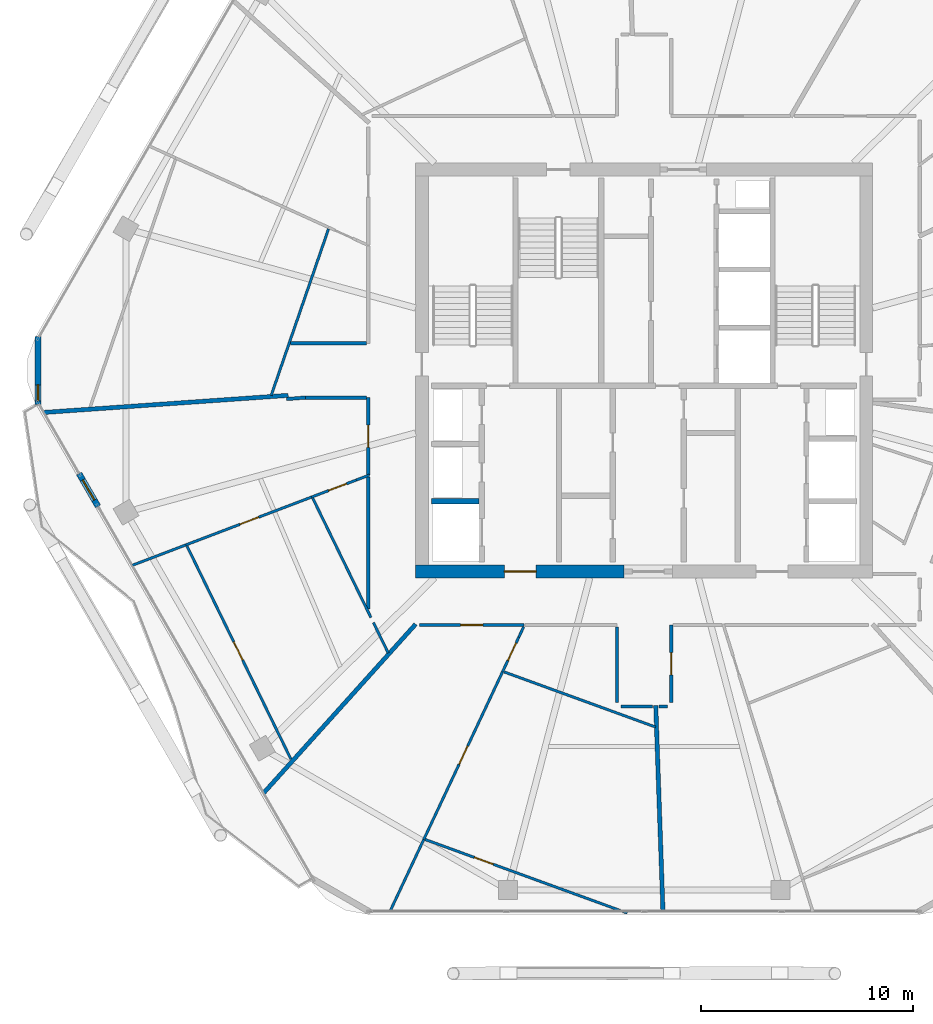
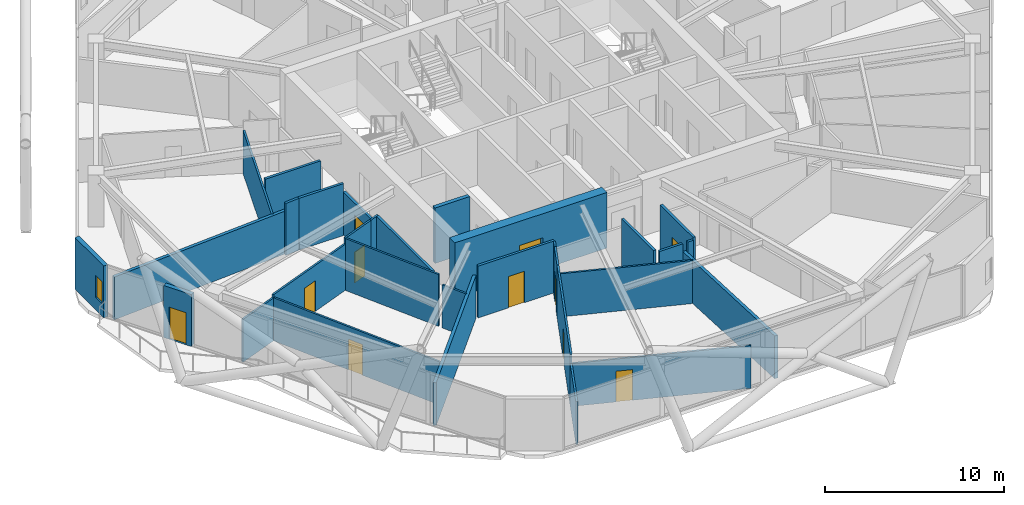
# One storey, part 20 of 27: 31 walls, 11 doors, 1 window, 12 openings.
"""IFC4 building model written with IfcOpenShell, lengths in metres."""

from ifc_helpers import new_model, si_unit, direction, frame, frame_2d, origin, place, context, subcontext, project, spatial, rectangle, extrude, material, layer, layer_set, type_object, element, fill, save


model = new_model("IFC4")

# Units and contexts
model_context = context("Model", 3, precision=1e-05, world=origin(), true_north=direction((0.0, 1.0)))
body_context = subcontext(model_context, "Body", "Model", "MODEL_VIEW")
ifc_project = project(units=[si_unit("LENGTHUNIT", "METRE"), si_unit("AREAUNIT", "SQUARE_METRE"), si_unit("VOLUMEUNIT", "CUBIC_METRE"), si_unit("PLANEANGLEUNIT", "RADIAN"), si_unit("MASSUNIT", "GRAM", prefix="KILO")], contexts=[model_context])

# Site, building, storey
site_placement = place(None, origin())
site = spatial("IfcSite", under=ifc_project, at=site_placement, CompositionType="ELEMENT")
building_placement = place(site_placement, origin())
building = spatial("IfcBuilding", under=site, at=building_placement, Name="Zuhravey Tower", CompositionType="ELEMENT")
storey_placement = place(building_placement, frame((0.0, 0.0, 238.800048828125)))
storey = spatial("IfcBuildingStorey", under=building, at=storey_placement, Name="L60", CompositionType="ELEMENT", Elevation=238.800048828125)

# Wall, opening, door
ifc_material_1 = material(Name="Concrete C50/60", Category="concrete")
ifc_layer_1 = layer(ifc_material_1, 0.60009765625)
ifc_layer_set_1 = layer_set([ifc_layer_1], Name="Concrete C50/60")
wall_type_1 = type_object("IfcWallType", Name="Core Shear Wall 600", PredefinedType="SHEAR", material=ifc_layer_set_1)
wall_1_placement = place(storey_placement, frame((25.199951171875, 22.5, 0.0), z_axis=(0.0, 0.0, 1.0), x_axis=(1.0, 0.0, 0.0)))
wall_1 = element("IfcWall", 1, at=wall_1_placement, inside=storey, type_object=wall_type_1, Name="L60 South-West Core Shear Wall CW60", PredefinedType="SHEAR", context=body_context, shape_type="SweptSolid", body=[
    extrude(rectangle(XDim=9.85009765625, YDim=0.60009765625, at=frame_2d((4.925048828125, 0.0))), origin(), (0.0, 0.0, 1.0), 3.800048828125),
])
opening_1_placement = place(wall_1_placement, frame((4.199951171875, 0.0, 0.0)))
opening_1 = element("IfcOpeningElement", 2, at=opening_1_placement, cuts=wall_1, Name="Opening FFD1", PredefinedType="OPENING", context=body_context, shape_type="SweptSolid", body=[
    extrude(rectangle(XDim=1.5, YDim=2.14990234375, at=frame_2d((0.75, 1.074951171875))), frame((0.0, 0.31201171875, 0.0), z_axis=(0.0, -1.0, 0.0), x_axis=(1.0, 0.0, 0.0)), (0.0, 0.0, 1.0), 0.6240234375),
])
ifc_material_2 = material(Name="Galvanised fire-rated steel leaf", Category="steel")
door_type_1 = type_object("IfcDoorType", Name="Firefighting Lobby Double Door 1500x2150", OperationType="DOUBLE_DOOR_SINGLE_SWING", PredefinedType="DOOR", material=ifc_material_2)
door_1_placement = place(opening_1_placement, origin())
door_1 = element("IfcDoor", 3, at=door_1_placement, inside=storey, type_object=door_type_1, Name="L60 Firefighting Lobby West Door", OperationType="DOUBLE_DOOR_SINGLE_SWING", OverallHeight=2.14990234375, OverallWidth=1.5, PredefinedType="DOOR", context=body_context, shape_type="SweptSolid", body=[
    extrude(rectangle(XDim=1.5, YDim=2.14990234375, at=frame_2d((0.75, 1.074951171875))), frame((0.0, 0.02490234375, 0.0), z_axis=(0.0, -1.0, 0.0), x_axis=(1.0, 0.0, 0.0)), (0.0, 0.0, 1.0), 0.050048828125),
])
fill(opening_1, door_1)

ifc_material_3 = material(Name="Gypsum fire-rated stud partition")
ifc_layer_2 = layer(ifc_material_3, 0.159912109375)
ifc_layer_set_2 = layer_set([ifc_layer_2], Name="Gypsum fire-rated stud partition")
wall_type_2 = type_object("IfcWallType", Name="Corridor Fire Partition 160", PredefinedType="PARTITIONING", material=ifc_layer_set_2)
wall_2_placement = place(storey_placement, frame((22.969970703125, 30.719970703125, 0.0), z_axis=(0.0, 0.0, 1.0), x_axis=(0.0, -1.0, 0.0)))
wall_2 = element("IfcWall", 4, at=wall_2_placement, inside=storey, type_object=wall_type_2, Name="L60 IW16 Partition 032", PredefinedType="PARTITIONING", context=body_context, shape_type="SweptSolid", body=[
    extrude(rectangle(XDim=3.65869140625, YDim=0.159912109375, at=frame_2d((1.829345703125, 0.0))), origin(), (0.0, 0.0, 1.0), 2.949951171875),
])
opening_2_placement = place(wall_2_placement, frame((1.30419921875, 0.0, 0.0)))
opening_2 = element("IfcOpeningElement", 5, at=opening_2_placement, cuts=wall_2, Name="Opening APD1", PredefinedType="OPENING", context=body_context, shape_type="SweptSolid", body=[
    extrude(rectangle(XDim=1.050048828125, YDim=2.14990234375, at=frame_2d((0.52490234375, 1.074951171875))), frame((0.0, 0.092041015625, 0.0), z_axis=(0.0, -1.0, 0.0), x_axis=(1.0, 0.0, 0.0)), (0.0, 0.0, 1.0), 0.183837890625),
])
ifc_material_4 = material(Name="Solid-core oak fire-rated leaf")
door_type_2 = type_object("IfcDoorType", Name="Apartment Entrance Fire Door 1050x2150", OperationType="NOTDEFINED", PredefinedType="DOOR", material=ifc_material_4)
door_2_placement = place(opening_2_placement, frame((1.050048828125, 0.0, 0.0), z_axis=(0.0, 0.0, 1.0), x_axis=(-1.0, 0.0, 0.0)))
door_2 = element("IfcDoor", 6, at=door_2_placement, inside=storey, type_object=door_type_2, Name="L60 Door 032.1", OperationType="SINGLE_SWING_RIGHT", OverallHeight=2.14990234375, OverallWidth=1.050048828125, PredefinedType="DOOR", context=body_context, shape_type="SweptSolid", body=[
    extrude(rectangle(XDim=1.050048828125, YDim=2.14990234375, at=frame_2d((0.52490234375, 1.074951171875))), frame((0.0, 0.02490234375, 0.0), z_axis=(0.0, -1.0, 0.0), x_axis=(1.0, 0.0, 0.0)), (0.0, 0.0, 1.0), 0.050048828125),
])
fill(opening_2, door_2)

wall_3_placement = place(storey_placement, frame((25.383544921875, 19.969970703125, 0.0), z_axis=(0.0, 0.0, 1.0), x_axis=(1.0, 0.0, 0.0)))
wall_3 = element("IfcWall", 7, at=wall_3_placement, inside=storey, type_object=wall_type_2, Name="L60 IW16 Partition 036", PredefinedType="PARTITIONING", context=body_context, shape_type="SweptSolid", body=[
    extrude(rectangle(XDim=4.94384765625, YDim=0.159912109375, at=frame_2d((2.471923828125, 0.0))), origin(), (0.0, 0.0, 1.0), 3.550048828125),
])
opening_3_placement = place(wall_3_placement, frame((1.947021484375, 0.0, 0.0)))
opening_3 = element("IfcOpeningElement", 8, at=opening_3_placement, cuts=wall_3, Name="Opening APD1", PredefinedType="OPENING", context=body_context, shape_type="SweptSolid", body=[
    extrude(rectangle(XDim=1.050048828125, YDim=2.14990234375, at=frame_2d((0.52490234375, 1.074951171875))), frame((0.0, 0.092041015625, 0.0), z_axis=(0.0, -1.0, 0.0), x_axis=(1.0, 0.0, 0.0)), (0.0, 0.0, 1.0), 0.183837890625),
])
door_3_placement = place(opening_3_placement, frame((1.050048828125, 0.0, 0.0), z_axis=(0.0, 0.0, 1.0), x_axis=(-1.0, 0.0, 0.0)))
door_3 = element("IfcDoor", 9, at=door_3_placement, inside=storey, type_object=door_type_2, Name="L60 Door 036.1", OperationType="SINGLE_SWING_RIGHT", OverallHeight=2.14990234375, OverallWidth=1.050048828125, PredefinedType="DOOR", context=body_context, shape_type="SweptSolid", body=[
    extrude(rectangle(XDim=1.050048828125, YDim=2.14990234375, at=frame_2d((0.52490234375, 1.074951171875))), frame((0.0, 0.02490234375, 0.0), z_axis=(0.0, -1.0, 0.0), x_axis=(1.0, 0.0, 0.0)), (0.0, 0.0, 1.0), 0.050048828125),
])
fill(opening_3, door_3)

wall_4_placement = place(storey_placement, frame((37.280029296875, 16.300048828125, 0.0), z_axis=(0.0, 0.0, 1.0), x_axis=(0.0, 1.0, 0.0)))
wall_4 = element("IfcWall", 10, at=wall_4_placement, inside=storey, type_object=wall_type_2, Name="L60 IW16 Partition 040", PredefinedType="PARTITIONING", context=body_context, shape_type="SweptSolid", body=[
    extrude(rectangle(XDim=3.669921875, YDim=0.159912109375, at=frame_2d((1.8349609375, 0.0))), origin(), (0.0, 0.0, 1.0), 3.550048828125),
])
opening_4_placement = place(wall_4_placement, frame((1.31005859375, 0.0, 0.0)))
opening_4 = element("IfcOpeningElement", 11, at=opening_4_placement, cuts=wall_4, Name="Opening APD1", PredefinedType="OPENING", context=body_context, shape_type="SweptSolid", body=[
    extrude(rectangle(XDim=1.050048828125, YDim=2.14990234375, at=frame_2d((0.52490234375, 1.074951171875))), frame((0.0, 0.092041015625, 0.0), z_axis=(0.0, -1.0, 0.0), x_axis=(1.0, 0.0, 0.0)), (0.0, 0.0, 1.0), 0.183837890625),
])
door_4_placement = place(opening_4_placement, frame((1.050048828125, 0.0, 0.0), z_axis=(0.0, 0.0, 1.0), x_axis=(-1.0, 0.0, 0.0)))
door_4 = element("IfcDoor", 12, at=door_4_placement, inside=storey, type_object=door_type_2, Name="L60 Door 040.1", OperationType="SINGLE_SWING_RIGHT", OverallHeight=2.14990234375, OverallWidth=1.050048828125, PredefinedType="DOOR", context=body_context, shape_type="SweptSolid", body=[
    extrude(rectangle(XDim=1.050048828125, YDim=2.14990234375, at=frame_2d((0.52490234375, 1.074951171875))), frame((0.0, 0.02490234375, 0.0), z_axis=(0.0, -1.0, 0.0), x_axis=(1.0, 0.0, 0.0)), (0.0, 0.0, 1.0), 0.050048828125),
])
fill(opening_4, door_4)

# Walls
wall_5_placement = place(storey_placement, frame((22.882080078125, 33.280029296875, 0.0), z_axis=(0.0, 0.0, 1.0), x_axis=(-1.0, 0.0, 0.0)))
element("IfcWall", 13, at=wall_5_placement, inside=storey, type_object=wall_type_2, Name="L60 IW16 Partition 098", PredefinedType="PARTITIONING", context=body_context, shape_type="SweptSolid", body=[
    extrude(rectangle(XDim=3.58203125, YDim=0.159912109375, at=frame_2d((1.791015625, 0.0))), origin(), (0.0, 0.0, 1.0), 3.550048828125),
])
wall_6_placement = place(storey_placement, frame((19.990966796875, 30.719970703125, 0.0), z_axis=(0.0, 0.0, 1.0), x_axis=(1.0, 0.0, 0.0)))
element("IfcWall", 14, at=wall_6_placement, inside=storey, type_object=wall_type_2, Name="L60 IW16 Partition 099", PredefinedType="PARTITIONING", context=body_context, shape_type="SweptSolid", body=[
    extrude(rectangle(XDim=2.89111328125, YDim=0.159912109375, at=frame_2d((1.445556640625, 0.0))), origin(), (0.0, 0.0, 1.0), 3.550048828125),
])
wall_7_placement = place(storey_placement, frame((19.1005859375, 30.64990234375, 0.0), z_axis=(0.0, 0.0, 1.0), x_axis=(0.9969178709, 0.078452270071, 0.0)))
element("IfcWall", 15, at=wall_7_placement, inside=storey, type_object=wall_type_2, Name="L60 IW16 Partition 100", PredefinedType="PARTITIONING", context=body_context, shape_type="SweptSolid", body=[
    extrude(rectangle(XDim=0.89306640625, YDim=0.159912109375, at=frame_2d((0.446533203125, 0.0))), origin(), (0.0, 0.0, 1.0), 3.550048828125),
])
wall_8_placement = place(storey_placement, frame((22.969970703125, 26.96728515625, 0.0), z_axis=(0.0, 0.0, 1.0), x_axis=(0.0, -1.0, 0.0)))
element("IfcWall", 16, at=wall_8_placement, inside=storey, type_object=wall_type_2, Name="L60 IW16 Partition 101", PredefinedType="PARTITIONING", context=body_context, shape_type="SweptSolid", body=[
    extrude(rectangle(XDim=6.240966796875, YDim=0.159912109375, at=frame_2d((3.12060546875, 0.0))), origin(), (0.0, 0.0, 1.0), 3.550048828125),
])
wall_9_placement = place(storey_placement, frame((34.719970703125, 19.882080078125, 0.0), z_axis=(0.0, 0.0, 1.0), x_axis=(0.0, -1.0, 0.0)))
element("IfcWall", 17, at=wall_9_placement, inside=storey, type_object=wall_type_2, Name="L60 IW16 Partition 103", PredefinedType="PARTITIONING", context=body_context, shape_type="SweptSolid", body=[
    extrude(rectangle(XDim=3.58203125, YDim=0.159912109375, at=frame_2d((1.791015625, 0.0))), origin(), (0.0, 0.0, 1.0), 3.550048828125),
])
wall_10_placement = place(storey_placement, frame((34.89990234375, 16.1201171875, 0.0), z_axis=(0.0, 0.0, 1.0), x_axis=(1.0, 0.0, 0.0)))
element("IfcWall", 18, at=wall_10_placement, inside=storey, type_object=wall_type_2, Name="L60 IW16 Partition 104", PredefinedType="PARTITIONING", context=body_context, shape_type="SweptSolid", body=[
    extrude(rectangle(XDim=1.495849609375, YDim=0.159912109375, at=frame_2d((0.748046875, 0.0))), origin(), (0.0, 0.0, 1.0), 3.550048828125),
])
wall_11_placement = place(storey_placement, frame((36.71337890625, 16.1201171875, 0.0), z_axis=(0.0, 0.0, 1.0), x_axis=(1.0, 0.0, 0.0)))
element("IfcWall", 19, at=wall_11_placement, inside=storey, type_object=wall_type_2, Name="L60 IW16 Partition 106", PredefinedType="PARTITIONING", context=body_context, shape_type="SweptSolid", body=[
    extrude(rectangle(XDim=0.38671875, YDim=0.159912109375, at=frame_2d((0.193359375, 0.0))), origin(), (0.0, 0.0, 1.0), 3.550048828125),
])

# Wall, opening, door
ifc_material_5 = material(Name="Precast concrete C40/50", Category="concrete")
ifc_layer_3 = layer(ifc_material_5, 0.280029296875)
ifc_layer_set_3 = layer_set([ifc_layer_3], Name="Precast concrete C40/50")
wall_type_3 = type_object("IfcWallType", Name="Crown Architectural Wall 280", PredefinedType="SOLIDWALL", material=ifc_layer_set_3)
wall_12_placement = place(storey_placement, frame((10.19091796875, 25.575439453125, 0.0), z_axis=(0.0, 0.0, 1.0), x_axis=(-0.499982180423, 0.866035691677, 0.0)))
wall_12 = element("IfcWall", 20, at=wall_12_placement, inside=storey, type_object=wall_type_3, Name="L60 Face 4 Facade Pier EW28-1", PredefinedType="SOLIDWALL", context=body_context, shape_type="SweptSolid", body=[
    extrude(rectangle(XDim=1.7900390625, YDim=0.280029296875, at=frame_2d((0.89501953125, 0.0))), origin(), (0.0, 0.0, 1.0), 3.550048828125),
])
opening_5_placement = place(wall_12_placement, frame((0.344970703125, 0.0, 0.0)))
opening_5 = element("IfcOpeningElement", 21, at=opening_5_placement, cuts=wall_12, Name="Opening BLD1", PredefinedType="OPENING", context=body_context, shape_type="SweptSolid", body=[
    extrude(rectangle(XDim=1.10009765625, YDim=2.199951171875, at=frame_2d((0.550048828125, 1.10009765625))), frame((0.0, 0.152099609375, 0.0), z_axis=(0.0, -1.0, 0.0), x_axis=(1.0, 0.0, 0.0)), (0.0, 0.0, 1.0), 0.303955078125),
])
ifc_material_6 = material(Name="Thermally broken aluminium and low-E glass", Category="aluminium")
door_type_3 = type_object("IfcDoorType", Name="Balcony & Sky-Tray Glazed Door 1100x2200", OperationType="NOTDEFINED", PredefinedType="DOOR", material=ifc_material_6)
door_5_placement = place(opening_5_placement, frame((1.10009765625, 0.0, 0.0), z_axis=(0.0, 0.0, 1.0), x_axis=(-1.0, 0.0, 0.0)))
door_5 = element("IfcDoor", 22, at=door_5_placement, inside=storey, type_object=door_type_3, Name="L60 Face 4 Wave Balcony Door", OperationType="SINGLE_SWING_LEFT", OverallHeight=2.199951171875, OverallWidth=1.10009765625, PredefinedType="DOOR", context=body_context, shape_type="SweptSolid", body=[
    extrude(rectangle(XDim=1.10009765625, YDim=2.199951171875, at=frame_2d((0.550048828125, 1.10009765625))), frame((0.0, 0.02490234375, 0.0), z_axis=(0.0, -1.0, 0.0), x_axis=(1.0, 0.0, 0.0)), (0.0, 0.0, 1.0), 0.050048828125),
])
fill(opening_5, door_5)

# Wall, opening, window
wall_13_placement = place(storey_placement, frame((7.35498046875, 30.392578125, 0.0), z_axis=(0.0, 0.0, 1.0), x_axis=(0.0, 1.0, 0.0)))
wall_13 = element("IfcWall", 23, at=wall_13_placement, inside=storey, type_object=wall_type_3, Name="L60 Rounded Corner Closure Wall EW28-06", PredefinedType="SOLIDWALL", context=body_context, shape_type="SweptSolid", body=[
    extrude(rectangle(XDim=3.21484375, YDim=0.280029296875, at=frame_2d((1.607421875, 0.0))), origin(), (0.0, 0.0, 1.0), 3.550048828125),
])
opening_6_placement = place(wall_13_placement, frame((0.17578125, 0.0, 0.85009765625)))
opening_6 = element("IfcOpeningElement", 24, at=opening_6_placement, cuts=wall_13, Name="Opening WN5", PredefinedType="OPENING", context=body_context, shape_type="SweptSolid", body=[
    extrude(rectangle(XDim=0.75, YDim=1.5, at=frame_2d((0.375, 0.75))), frame((0.0, 0.152099609375, 0.0), z_axis=(0.0, -1.0, 0.0), x_axis=(1.0, 0.0, 0.0)), (0.0, 0.0, 1.0), 0.303955078125),
])
ifc_material_7 = material(Name="Thermally broken aluminium and triple low-E glass", Category="aluminium")
window_type = type_object("IfcWindowType", Name="Residential Corner Casement Window 750x1500", PartitioningType="SINGLE_PANEL", PredefinedType="WINDOW", material=ifc_material_7)
window_placement = place(opening_6_placement, origin())
window = element("IfcWindow", 25, at=window_placement, inside=storey, type_object=window_type, Name="L60 Corner Casement Window WN5-06.1", OverallHeight=1.5, OverallWidth=0.75, PartitioningType="SINGLE_PANEL", PredefinedType="WINDOW", context=body_context, shape_type="SweptSolid", body=[
    extrude(rectangle(XDim=0.75, YDim=1.5, at=frame_2d((0.375, 0.75))), frame((0.0, 0.030029296875, 0.0), z_axis=(0.0, -1.0, 0.0), x_axis=(1.0, 0.0, 0.0)), (0.0, 0.0, 1.0), 0.06005859375),
])
fill(opening_6, window)

# Walls
ifc_layer_4 = layer(ifc_material_1, 0.25)
ifc_layer_set_4 = layer_set([ifc_layer_4], Name="Concrete C50/60")
wall_type_4 = type_object("IfcWallType", Name="Firefighting Shaft & Stair Wall 250", PredefinedType="SOLIDWALL", material=ifc_layer_set_4)
wall_14_placement = place(storey_placement, frame((25.949951171875, 25.824951171875, 0.0), z_axis=(0.0, 0.0, 1.0), x_axis=(1.0, 0.0, 0.0)))
element("IfcWall", 26, at=wall_14_placement, inside=storey, type_object=wall_type_4, Name="L60 FW25 Shaft Wall 009", PredefinedType="SOLIDWALL", context=body_context, shape_type="SweptSolid", body=[
    extrude(rectangle(XDim=2.25, YDim=0.25, at=frame_2d((1.125, 0.0))), origin(), (0.0, 0.0, 1.0), 3.800048828125),
])
ifc_material_8 = material(Name="Gypsum double-stud party assembly")
ifc_layer_5 = layer(ifc_material_8, 0.199951171875)
ifc_layer_set_5 = layer_set([ifc_layer_5], Name="Gypsum double-stud party assembly")
wall_type_5 = type_object("IfcWallType", Name="Inter-Tenancy Party Wall 200", PredefinedType="PARTITIONING", material=ifc_layer_set_5)
wall_15_placement = place(storey_placement, frame((19.1826171875, 30.823974609375, 0.0), z_axis=(0.0, 0.0, 1.0), x_axis=(-0.997565085498, -0.069741667573, 0.0)))
element("IfcWall", 27, at=wall_15_placement, inside=storey, type_object=wall_type_5, Name="L60 IW20 Partition 066", PredefinedType="PARTITIONING", context=body_context, shape_type="SweptSolid", body=[
    extrude(rectangle(XDim=11.583740234375, YDim=0.199951171875, at=frame_2d((5.7919921875, 0.0))), origin(), (0.0, 0.0, 1.0), 2.929931640625),
])
wall_16_placement = place(storey_placement, frame((25.2041015625, 20.010009765625, 0.0), z_axis=(0.0, 0.0, 1.0), x_axis=(-0.669124143022, -0.743150645041, 0.0)))
element("IfcWall", 28, at=wall_16_placement, inside=storey, type_object=wall_type_5, Name="L60 IW20 Partition 071", PredefinedType="PARTITIONING", context=body_context, shape_type="SweptSolid", body=[
    extrude(rectangle(XDim=10.744873046875, YDim=0.199951171875, at=frame_2d((5.37255859375, 0.0))), origin(), (0.0, 0.0, 1.0), 2.929931640625),
])
wall_17_placement = place(storey_placement, frame((36.552978515625, 16.159912109375, 0.0), z_axis=(0.0, 0.0, 1.0), x_axis=(0.034903897424, -0.999390673333, 0.0)))
element("IfcWall", 29, at=wall_17_placement, inside=storey, type_object=wall_type_5, Name="L60 IW20 Partition 075", PredefinedType="PARTITIONING", context=body_context, shape_type="SweptSolid", body=[
    extrude(rectangle(XDim=9.7294921875, YDim=0.199951171875, at=frame_2d((4.86474609375, 0.0))), origin(), (0.0, 0.0, 1.0), 2.929931640625),
])

# Wall, opening, door
ifc_material_9 = material(Name="Gypsum metal-stud partition")
ifc_layer_6 = layer(ifc_material_9, 0.1201171875)
ifc_layer_set_6 = layer_set([ifc_layer_6], Name="Gypsum metal-stud partition")
wall_type_6 = type_object("IfcWallType", Name="Unit Internal Partition 120", PredefinedType="PARTITIONING", material=ifc_layer_set_6)
wall_18_placement = place(storey_placement, frame((22.39990234375, 26.822998046875, 0.0), z_axis=(0.0, 0.0, 1.0), x_axis=(-0.934561226784, -0.355802351583, 0.0)))
wall_18 = element("IfcWall", 30, at=wall_18_placement, inside=storey, type_object=wall_type_6, Name="L60 IW12 Partition 029", PredefinedType="PARTITIONING", context=body_context, shape_type="SweptSolid", body=[
    extrude(rectangle(XDim=2.26220703125, YDim=0.1201171875, at=frame_2d((1.131103515625, 0.0))), origin(), (0.0, 0.0, 1.0), 3.550048828125),
])
opening_7_placement = place(wall_18_placement, frame((0.500244140625, 0.0, 0.0)))
opening_7 = element("IfcOpeningElement", 31, at=opening_7_placement, cuts=wall_18, Name="Opening WCD1", PredefinedType="OPENING", context=body_context, shape_type="SweptSolid", body=[
    extrude(rectangle(XDim=0.89990234375, YDim=2.10009765625, at=frame_2d((0.449951171875, 1.050048828125))), frame((0.0, 0.072021484375, 0.0), z_axis=(0.0, -1.0, 0.0), x_axis=(1.0, 0.0, 0.0)), (0.0, 0.0, 1.0), 0.14404296875),
])
ifc_material_10 = material(Name="Moisture-resistant timber leaf", Category="wood")
door_type_4 = type_object("IfcDoorType", Name="Bathroom & WC Internal Door 900x2100", OperationType="NOTDEFINED", PredefinedType="DOOR", material=ifc_material_10)
door_6_placement = place(opening_7_placement, origin())
door_6 = element("IfcDoor", 32, at=door_6_placement, inside=storey, type_object=door_type_4, Name="Apartment L60-03 Bathroom Door", OperationType="SINGLE_SWING_LEFT", OverallHeight=2.10009765625, OverallWidth=0.89990234375, PredefinedType="DOOR", context=body_context, shape_type="SweptSolid", body=[
    extrude(rectangle(XDim=0.89990234375, YDim=2.10009765625, at=frame_2d((0.449951171875, 1.050048828125))), frame((0.0, 0.02490234375, 0.0), z_axis=(0.0, -1.0, 0.0), x_axis=(1.0, 0.0, 0.0)), (0.0, 0.0, 1.0), 0.050048828125),
])
fill(opening_7, door_6)

wall_19_placement = place(storey_placement, frame((20.28564453125, 26.01806640625, 0.0), z_axis=(0.0, 0.0, 1.0), x_axis=(-0.934578936747, -0.355755830577, 0.0)))
wall_19 = element("IfcWall", 33, at=wall_19_placement, inside=storey, type_object=wall_type_6, Name="L60 IW12 Partition 030", PredefinedType="PARTITIONING", context=body_context, shape_type="SweptSolid", body=[
    extrude(rectangle(XDim=6.35888671875, YDim=0.1201171875, at=frame_2d((3.179443359375, 0.0))), origin(), (0.0, 0.0, 1.0), 3.14990234375),
])
opening_8_placement = place(wall_19_placement, frame((2.679443359375, 0.0, 0.0)))
opening_8 = element("IfcOpeningElement", 34, at=opening_8_placement, cuts=wall_19, Name="Opening IND1", PredefinedType="OPENING", context=body_context, shape_type="SweptSolid", body=[
    extrude(rectangle(XDim=0.949951171875, YDim=2.10009765625, at=frame_2d((0.47509765625, 1.050048828125))), frame((0.0, 0.072021484375, 0.0), z_axis=(0.0, -1.0, 0.0), x_axis=(1.0, 0.0, 0.0)), (0.0, 0.0, 1.0), 0.14404296875),
])
ifc_material_11 = material(Name="Painted engineered timber leaf", Category="wood")
door_type_5 = type_object("IfcDoorType", Name="Internal Room & Bedroom Door 950x2100", OperationType="NOTDEFINED", PredefinedType="DOOR", material=ifc_material_11)
door_7_placement = place(opening_8_placement, origin())
door_7 = element("IfcDoor", 35, at=door_7_placement, inside=storey, type_object=door_type_5, Name="Apartment L60-03 Home Office Door", OperationType="SINGLE_SWING_RIGHT", OverallHeight=2.10009765625, OverallWidth=0.949951171875, PredefinedType="DOOR", context=body_context, shape_type="SweptSolid", body=[
    extrude(rectangle(XDim=0.949951171875, YDim=2.10009765625, at=frame_2d((0.47509765625, 1.050048828125))), frame((0.0, 0.02490234375, 0.0), z_axis=(0.0, -1.0, 0.0), x_axis=(1.0, 0.0, 0.0)), (0.0, 0.0, 1.0), 0.050048828125),
])
fill(opening_8, door_7)

wall_20_placement = place(storey_placement, frame((14.39599609375, 23.703369140625, 0.0), z_axis=(0.0, 0.0, 1.0), x_axis=(0.438369959887, -0.898794625189, 0.0)))
wall_20 = element("IfcWall", 36, at=wall_20_placement, inside=storey, type_object=wall_type_6, Name="L60 IW12 Partition 031", PredefinedType="PARTITIONING", context=body_context, shape_type="SweptSolid", body=[
    extrude(rectangle(XDim=11.20263671875, YDim=0.1201171875, at=frame_2d((5.601318359375, 0.0))), origin(), (0.0, 0.0, 1.0), 2.949951171875),
])
opening_9_placement = place(wall_20_placement, frame((5.0419921875, 0.0, 0.0)))
opening_9 = element("IfcOpeningElement", 37, at=opening_9_placement, cuts=wall_20, Name="Opening IND1", PredefinedType="OPENING", context=body_context, shape_type="SweptSolid", body=[
    extrude(rectangle(XDim=0.949951171875, YDim=2.10009765625, at=frame_2d((0.47509765625, 1.050048828125))), frame((0.0, 0.072021484375, 0.0), z_axis=(0.0, -1.0, 0.0), x_axis=(1.0, 0.0, 0.0)), (0.0, 0.0, 1.0), 0.14404296875),
])
door_8_placement = place(opening_9_placement, frame((0.949951171875, 0.0, 0.0), z_axis=(0.0, 0.0, 1.0), x_axis=(-1.0, 0.0, 0.0)))
door_8 = element("IfcDoor", 38, at=door_8_placement, inside=storey, type_object=door_type_5, Name="Apartment L60-03 Bedroom 1 Door", OperationType="SINGLE_SWING_LEFT", OverallHeight=2.10009765625, OverallWidth=0.949951171875, PredefinedType="DOOR", context=body_context, shape_type="SweptSolid", body=[
    extrude(rectangle(XDim=0.949951171875, YDim=2.10009765625, at=frame_2d((0.47509765625, 1.050048828125))), frame((0.0, 0.02490234375, 0.0), z_axis=(0.0, -1.0, 0.0), x_axis=(1.0, 0.0, 0.0)), (0.0, 0.0, 1.0), 0.050048828125),
])
fill(opening_9, door_8)

wall_21_placement = place(storey_placement, frame((30.08154296875, 19.39990234375, 0.0), z_axis=(0.0, 0.0, 1.0), x_axis=(-0.425163142446, -0.905116734077, 0.0)))
wall_21 = element("IfcWall", 39, at=wall_21_placement, inside=storey, type_object=wall_type_6, Name="L60 IW12 Partition 033", PredefinedType="PARTITIONING", context=body_context, shape_type="SweptSolid", body=[
    extrude(rectangle(XDim=1.818115234375, YDim=0.1201171875, at=frame_2d((0.9091796875, 0.0))), origin(), (0.0, 0.0, 1.0), 3.550048828125),
])
opening_10_placement = place(wall_21_placement, frame((0.313720703125, 0.0, 0.0)))
opening_10 = element("IfcOpeningElement", 40, at=opening_10_placement, cuts=wall_21, Name="Opening WCD1", PredefinedType="OPENING", context=body_context, shape_type="SweptSolid", body=[
    extrude(rectangle(XDim=0.89990234375, YDim=2.10009765625, at=frame_2d((0.449951171875, 1.050048828125))), frame((0.0, 0.072021484375, 0.0), z_axis=(0.0, -1.0, 0.0), x_axis=(1.0, 0.0, 0.0)), (0.0, 0.0, 1.0), 0.14404296875),
])
door_9_placement = place(opening_10_placement, origin())
door_9 = element("IfcDoor", 41, at=door_9_placement, inside=storey, type_object=door_type_4, Name="Apartment L60-04 Bathroom Door", OperationType="SINGLE_SWING_LEFT", OverallHeight=2.10009765625, OverallWidth=0.89990234375, PredefinedType="DOOR", context=body_context, shape_type="SweptSolid", body=[
    extrude(rectangle(XDim=0.89990234375, YDim=2.10009765625, at=frame_2d((0.449951171875, 1.050048828125))), frame((0.0, 0.02490234375, 0.0), z_axis=(0.0, -1.0, 0.0), x_axis=(1.0, 0.0, 0.0)), (0.0, 0.0, 1.0), 0.050048828125),
])
fill(opening_10, door_9)

wall_22_placement = place(storey_placement, frame((29.30859375, 17.75439453125, 0.0), z_axis=(0.0, 0.0, 1.0), x_axis=(-0.425138894448, -0.905128123763, 0.0)))
wall_22 = element("IfcWall", 42, at=wall_22_placement, inside=storey, type_object=wall_type_6, Name="L60 IW12 Partition 034", PredefinedType="PARTITIONING", context=body_context, shape_type="SweptSolid", body=[
    extrude(rectangle(XDim=8.755126953125, YDim=0.1201171875, at=frame_2d((4.37744140625, 0.0))), origin(), (0.0, 0.0, 1.0), 3.550048828125),
])
opening_11_placement = place(wall_22_placement, frame((3.87744140625, 0.0, 0.0)))
opening_11 = element("IfcOpeningElement", 43, at=opening_11_placement, cuts=wall_22, Name="Opening IND1", PredefinedType="OPENING", context=body_context, shape_type="SweptSolid", body=[
    extrude(rectangle(XDim=0.949951171875, YDim=2.10009765625, at=frame_2d((0.47509765625, 1.050048828125))), frame((0.0, 0.072021484375, 0.0), z_axis=(0.0, -1.0, 0.0), x_axis=(1.0, 0.0, 0.0)), (0.0, 0.0, 1.0), 0.14404296875),
])
door_10_placement = place(opening_11_placement, origin())
door_10 = element("IfcDoor", 44, at=door_10_placement, inside=storey, type_object=door_type_5, Name="Apartment L60-04 Home Office Door", OperationType="SINGLE_SWING_RIGHT", OverallHeight=2.10009765625, OverallWidth=0.949951171875, PredefinedType="DOOR", context=body_context, shape_type="SweptSolid", body=[
    extrude(rectangle(XDim=0.949951171875, YDim=2.10009765625, at=frame_2d((0.47509765625, 1.050048828125))), frame((0.0, 0.02490234375, 0.0), z_axis=(0.0, -1.0, 0.0), x_axis=(1.0, 0.0, 0.0)), (0.0, 0.0, 1.0), 0.050048828125),
])
fill(opening_11, door_10)

wall_23_placement = place(storey_placement, frame((25.661376953125, 9.8291015625, 0.0), z_axis=(0.0, 0.0, 1.0), x_axis=(0.939695099279, -0.342013333644, 0.0)))
wall_23 = element("IfcWall", 45, at=wall_23_placement, inside=storey, type_object=wall_type_6, Name="L60 IW12 Partition 035", PredefinedType="PARTITIONING", context=body_context, shape_type="SweptSolid", body=[
    extrude(rectangle(XDim=10.153564453125, YDim=0.1201171875, at=frame_2d((5.07666015625, 0.0))), origin(), (0.0, 0.0, 1.0), 2.929931640625),
])
opening_12_placement = place(wall_23_placement, frame((2.4697265625, 0.0, 0.0)))
opening_12 = element("IfcOpeningElement", 46, at=opening_12_placement, cuts=wall_23, Name="Opening IND1", PredefinedType="OPENING", context=body_context, shape_type="SweptSolid", body=[
    extrude(rectangle(XDim=0.949951171875, YDim=2.10009765625, at=frame_2d((0.47509765625, 1.050048828125))), frame((0.0, 0.072021484375, 0.0), z_axis=(0.0, -1.0, 0.0), x_axis=(1.0, 0.0, 0.0)), (0.0, 0.0, 1.0), 0.14404296875),
])
door_11_placement = place(opening_12_placement, frame((0.949951171875, 0.0, 0.0), z_axis=(0.0, 0.0, 1.0), x_axis=(-1.0, 0.0, 0.0)))
door_11 = element("IfcDoor", 47, at=door_11_placement, inside=storey, type_object=door_type_5, Name="Apartment L60-04 Bedroom 1 Door", OperationType="SINGLE_SWING_LEFT", OverallHeight=2.10009765625, OverallWidth=0.949951171875, PredefinedType="DOOR", context=body_context, shape_type="SweptSolid", body=[
    extrude(rectangle(XDim=0.949951171875, YDim=2.10009765625, at=frame_2d((0.47509765625, 1.050048828125))), frame((0.0, 0.02490234375, 0.0), z_axis=(0.0, -1.0, 0.0), x_axis=(1.0, 0.0, 0.0)), (0.0, 0.0, 1.0), 0.050048828125),
])
fill(opening_12, door_11)

# Walls
wall_24_placement = place(storey_placement, frame((21.0859375, 38.690673828125, 0.0), z_axis=(0.0, 0.0, 1.0), x_axis=(-0.325576573931, -0.9455156765, 0.0)))
element("IfcWall", 48, at=wall_24_placement, inside=storey, type_object=wall_type_6, Name="L60 IW12 Partition 065", PredefinedType="PARTITIONING", context=body_context, shape_type="SweptSolid", body=[
    extrude(rectangle(XDim=8.322021484375, YDim=0.1201171875, at=frame_2d((4.1611328125, 0.0))), origin(), (0.0, 0.0, 1.0), 2.949951171875),
])
wall_25_placement = place(storey_placement, frame((23.01318359375, 27.056396484375, 0.0), z_axis=(0.0, 0.0, 1.0), x_axis=(-0.934605562939, -0.355685875068, 0.0)))
element("IfcWall", 49, at=wall_25_placement, inside=storey, type_object=wall_type_6, Name="L60 IW12 Partition 067", PredefinedType="PARTITIONING", context=body_context, shape_type="SweptSolid", body=[
    extrude(rectangle(XDim=0.65625, YDim=0.1201171875, at=frame_2d((0.328125, 0.0))), origin(), (0.0, 0.0, 1.0), 3.550048828125),
])
wall_26_placement = place(storey_placement, frame((14.3427734375, 23.755859375, 0.0), z_axis=(0.0, 0.0, 1.0), x_axis=(-0.93457995238, -0.355753162472, 0.0)))
element("IfcWall", 50, at=wall_26_placement, inside=storey, type_object=wall_type_6, Name="L60 IW12 Partition 068", PredefinedType="PARTITIONING", context=body_context, shape_type="SweptSolid", body=[
    extrude(rectangle(XDim=2.72509765625, YDim=0.1201171875, at=frame_2d((1.362548828125, 0.0))), origin(), (0.0, 0.0, 1.0), 2.929931640625),
])
wall_27_placement = place(storey_placement, frame((20.339111328125, 25.965576171875, 0.0), z_axis=(0.0, 0.0, 1.0), x_axis=(0.438368444203, -0.898795364433, 0.0)))
element("IfcWall", 51, at=wall_27_placement, inside=storey, type_object=wall_type_6, Name="L60 IW12 Partition 069", PredefinedType="PARTITIONING", context=body_context, shape_type="SweptSolid", body=[
    extrude(rectangle(XDim=6.275390625, YDim=0.1201171875, at=frame_2d((3.1376953125, 0.0))), origin(), (0.0, 0.0, 1.0), 3.550048828125),
])
wall_28_placement = place(storey_placement, frame((23.20458984375, 20.090087890625, 0.0), z_axis=(0.0, 0.0, 1.0), x_axis=(0.43839655559, -0.898781653154, 0.0)))
element("IfcWall", 52, at=wall_28_placement, inside=storey, type_object=wall_type_6, Name="L60 IW12 Partition 070", PredefinedType="PARTITIONING", context=body_context, shape_type="SweptSolid", body=[
    extrude(rectangle(XDim=1.598876953125, YDim=0.1201171875, at=frame_2d((0.79931640625, 0.0))), origin(), (0.0, 0.0, 1.0), 2.949951171875),
])
wall_29_placement = place(storey_placement, frame((30.30810546875, 19.882080078125, 0.0), z_axis=(0.0, 0.0, 1.0), x_axis=(-0.425267300576, -0.905067800256, 0.0)))
element("IfcWall", 53, at=wall_29_placement, inside=storey, type_object=wall_type_6, Name="L60 IW12 Partition 072", PredefinedType="PARTITIONING", context=body_context, shape_type="SweptSolid", body=[
    extrude(rectangle(XDim=0.53271484375, YDim=0.1201171875, at=frame_2d((0.266357421875, 0.0))), origin(), (0.0, 0.0, 1.0), 3.550048828125),
])
wall_30_placement = place(storey_placement, frame((25.58642578125, 9.829833984375, 0.0), z_axis=(0.0, 0.0, 1.0), x_axis=(-0.425163933355, -0.90511636256, 0.0)))
element("IfcWall", 54, at=wall_30_placement, inside=storey, type_object=wall_type_6, Name="L60 IW12 Partition 073", PredefinedType="PARTITIONING", context=body_context, shape_type="SweptSolid", body=[
    extrude(rectangle(XDim=3.751953125, YDim=0.1201171875, at=frame_2d((1.8759765625, 0.0))), origin(), (0.0, 0.0, 1.0), 2.929931640625),
])
wall_31_placement = place(storey_placement, frame((29.38330078125, 17.753662109375, 0.0), z_axis=(0.0, 0.0, 1.0), x_axis=(0.939684825918, -0.342041558791, 0.0)))
element("IfcWall", 55, at=wall_31_placement, inside=storey, type_object=wall_type_6, Name="L60 IW12 Partition 074", PredefinedType="PARTITIONING", context=body_context, shape_type="SweptSolid", body=[
    extrude(rectangle(XDim=7.617431640625, YDim=0.1201171875, at=frame_2d((3.80859375, 0.0))), origin(), (0.0, 0.0, 1.0), 2.949951171875),
])

save(model, "model.ifc")
